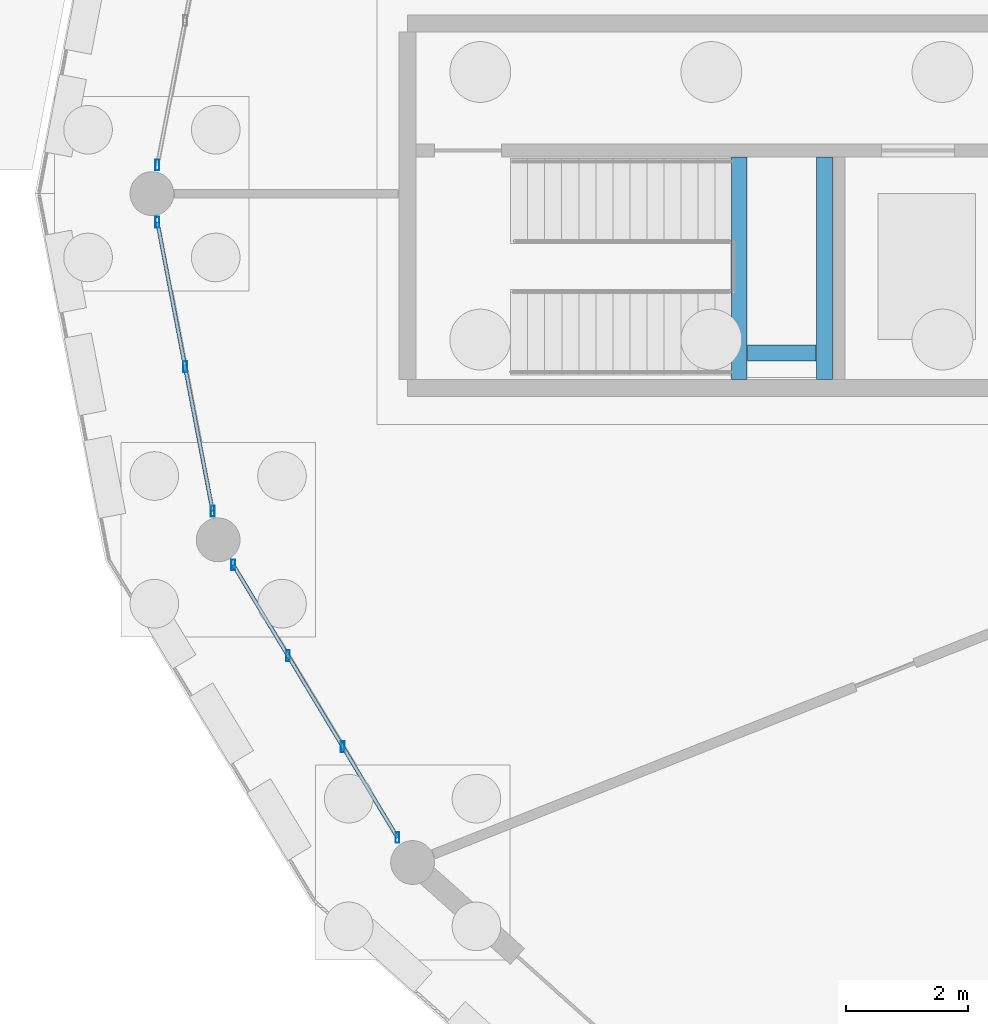
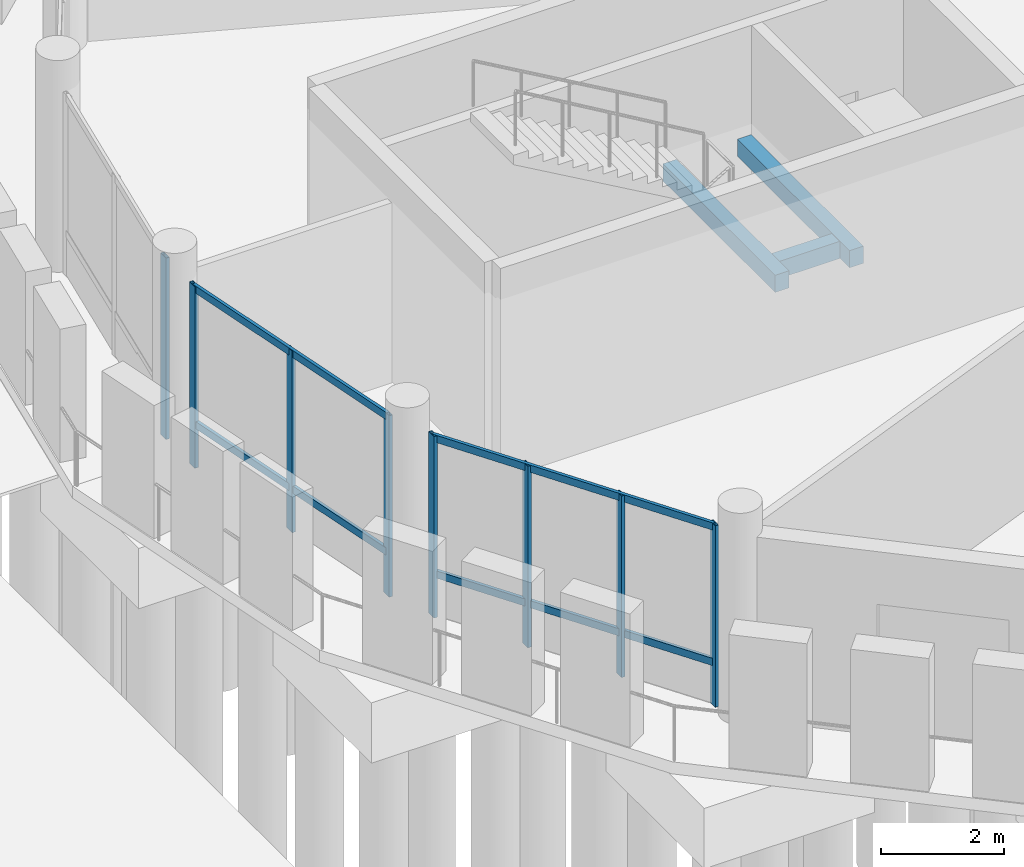
# One storey, part 34 of 98: 12 members, 3 beams, 3 elements without a shape of their own.
"""IFC4 building model written with IfcOpenShell, lengths in metres."""

import ifcopenshell
import ifcopenshell.guid

model = None  # the IFC model being written
_history = None  # IfcOwnerHistory: only IFC2X3 demands one
_inside = {}  # id of a spatial element -> (the spatial element, [elements in it])
_under = {}  # id of a project, library or spatial element -> (it, [spatial elements below it])
_declared = {}  # id of a project -> (the project, [libraries it declares])
_typed = {}  # id of a type object -> (the type object, [elements of that type])
_made_of = {}  # id of a material, layer set ... -> (it, [elements and type objects made of it])


def new_model(schema):
    """Start an empty IFC model of exactly this schema.

    Asked for "IFC4X3", IfcOpenShell would pick the latest addendum, in which some entities
    have other attributes; the version numbers below select the first issue.
    IFC2X3 requires an IfcOwnerHistory on every rooted entity: one is made here for all.
    """
    global model, _history
    if schema == "IFC4X3":
        model = ifcopenshell.file(schema_version=(4, 3, 0, 0))
    else:
        model = ifcopenshell.file(schema=schema)
    _inside.clear()
    _under.clear()
    _declared.clear()
    _typed.clear()
    _made_of.clear()
    _history = None
    if model.schema == "IFC2X3":
        org = make("IfcOrganization", Name="unknown")
        user = make(
            "IfcPersonAndOrganization",
            ThePerson=make("IfcPerson", FamilyName="unknown"),
            TheOrganization=org,
        )
        app = make(
            "IfcApplication",
            ApplicationDeveloper=org,
            Version="unknown",
            ApplicationFullName="unknown",
            ApplicationIdentifier="unknown",
        )
        _history = make(
            "IfcOwnerHistory",
            OwningUser=user,
            OwningApplication=app,
            ChangeAction="ADDED",
            CreationDate=0,
        )
    return model


def make(cls, **values):
    """One entity of the class cls with the attributes given. An attribute that is None is left unset."""
    return model.create_entity(
        cls, **{name: value for name, value in values.items() if value is not None}
    )


def rooted(cls, **values):
    """An entity with a GlobalId (a new one), such as an element, a storey or a relation."""
    return make(cls, GlobalId=ifcopenshell.guid.new(), OwnerHistory=_history, **values)


def si_unit(unit_type, name, prefix=None):
    """IfcSIUnit, for example si_unit("LENGTHUNIT", "METRE", prefix="MILLI")."""
    return make("IfcSIUnit", UnitType=unit_type, Prefix=prefix, Name=name)


def assignment(units):
    """IfcUnitAssignment: the units of a project."""
    return None if units is None else make("IfcUnitAssignment", Units=units)


def point(xyz):
    """IfcCartesianPoint."""
    return None if xyz is None else make("IfcCartesianPoint", Coordinates=xyz)


def direction(xyz):
    """IfcDirection."""
    return None if xyz is None else make("IfcDirection", DirectionRatios=xyz)


def frame(location, z_axis=None, x_axis=None):
    """IfcAxis2Placement3D, a coordinate frame: its origin and axes. An axis left out is left unset."""
    return make(
        "IfcAxis2Placement3D",
        Location=point(location),
        Axis=direction(z_axis),
        RefDirection=direction(x_axis),
    )


def frame_2d(location, x_axis=None):
    """IfcAxis2Placement2D, a coordinate frame in the plane: its origin and x axis."""
    return make(
        "IfcAxis2Placement2D", Location=point(location), RefDirection=direction(x_axis)
    )


def origin():
    """The frame at (0, 0, 0) with its axes left unset."""
    return frame((0.0, 0.0, 0.0))


def origin_2d():
    """The frame at (0, 0) in the plane with its x axis left unset."""
    return frame_2d((0.0, 0.0))


def place(relative_to, where):
    """IfcLocalPlacement: puts the frame where relative to a parent placement (None: the world)."""
    return make(
        "IfcLocalPlacement", PlacementRelTo=relative_to, RelativePlacement=where
    )


def context(
    kind, dimensions, precision=None, world=None, true_north=None, identifier=None
):
    """IfcGeometricRepresentationContext, for example the 3D "Model" context."""
    return make(
        "IfcGeometricRepresentationContext",
        ContextIdentifier=identifier,
        ContextType=kind,
        CoordinateSpaceDimension=dimensions,
        Precision=precision,
        WorldCoordinateSystem=world,
        TrueNorth=true_north,
    )


def subcontext(parent, identifier, kind, view, scale=None):
    """IfcGeometricRepresentationSubContext, for example "Body" below "Model"."""
    return make(
        "IfcGeometricRepresentationSubContext",
        ContextIdentifier=identifier,
        ContextType=kind,
        ParentContext=parent,
        TargetScale=scale,
        TargetView=view,
    )


def project(units=None, contexts=None):
    """IfcProject with its units and contexts."""
    return rooted(
        "IfcProject",
        Name="project",
        RepresentationContexts=contexts,
        UnitsInContext=assignment(units),
    )


def spatial(cls, under=None, at=None, **own):
    """A site, building, storey or space (cls), placed at a placement, below another one or the project."""
    s = rooted(cls, ObjectPlacement=at, **own)
    if under is not None:
        _under.setdefault(under.id(), (under, []))[1].append(s)
    return s


def profile(cls, at=None, kind="AREA", **sizes):
    """A parametric profile (cls). Its sizes go by their IFC names, for example OverallWidth=200.0."""
    return make(cls, ProfileType=kind, Position=at, **sizes)


def rectangle(**sizes):
    """IfcRectangleProfileDef."""
    return profile("IfcRectangleProfileDef", **sizes)


def hollow_rectangle(**sizes):
    """IfcRectangleHollowProfileDef."""
    return profile("IfcRectangleHollowProfileDef", **sizes)


def extrude(swept, where, along, depth):
    """IfcExtrudedAreaSolid: the profile swept, set in the frame where, extruded along a direction by depth."""
    return make(
        "IfcExtrudedAreaSolid",
        SweptArea=swept,
        Position=where,
        ExtrudedDirection=direction(along),
        Depth=depth,
    )


def shape(context_of_items, identifier, shape_type, items):
    """IfcShapeRepresentation: the items that make up one representation, for example the "Body"."""
    return make(
        "IfcShapeRepresentation",
        ContextOfItems=context_of_items,
        RepresentationIdentifier=identifier,
        RepresentationType=shape_type,
        Items=items,
    )


def material(Name=None, Category=None):
    """IfcMaterial."""
    return make("IfcMaterial", Name=Name, Category=Category)


def material_profile(
    of_material, cross_section, Name=None, Category=None, Priority=None
):
    """IfcMaterialProfile: a cross section and its material."""
    return make(
        "IfcMaterialProfile",
        Name=Name,
        Material=of_material,
        Profile=cross_section,
        Priority=Priority,
        Category=Category,
    )


def profile_set(profiles, Name=None, composite=None):
    """IfcMaterialProfileSet."""
    return make(
        "IfcMaterialProfileSet",
        Name=Name,
        MaterialProfiles=profiles,
        CompositeProfile=composite,
    )


def made_of(thing, what):
    """Note that an element or type object is made of a material, layer set ...; save() writes the relation."""
    if what is not None:
        _made_of.setdefault(what.id(), (what, []))[1].append(thing)
    return thing


def type_object(cls, material=None, **own):
    """A type object (cls), such as IfcWallType, which elements share."""
    return made_of(rooted(cls, **own), material)


def element(
    cls,
    number,
    at=None,
    inside=None,
    cuts=None,
    type_object=None,
    material=None,
    context=None,
    identifier="Body",
    shape_type=None,
    held_by="IfcProductDefinitionShape",
    body=None,
    shapes=None,
    **own,
):
    """One element of the class cls, such as IfcWall. Its Tag is "e" and its number.

    at: its placement. inside: the storey or other place that contains it. cuts: it is an
    opening in that element (IfcRelVoidsElement). A single representation is given by context,
    identifier, shape_type and body (its items); several are given by shapes. held_by: the class
    of the entity that holds the representations. save() writes the other relations.
    """
    e = rooted(cls, Tag="e%d" % number, ObjectPlacement=at, **own)
    if body is not None:
        shapes = [shape(context, identifier, shape_type, body)]
    if shapes is not None:
        e.Representation = make(held_by, Representations=shapes)
    if inside is not None:
        _inside.setdefault(inside.id(), (inside, []))[1].append(e)
    if cuts is not None:
        rooted(
            "IfcRelVoidsElement", RelatingBuildingElement=cuts, RelatedOpeningElement=e
        )
    if type_object is not None:
        _typed.setdefault(type_object.id(), (type_object, []))[1].append(e)
    return made_of(e, material)


def aggregate(whole, parts):
    """IfcRelAggregates: a whole, such as a stair, and the parts it consists of."""
    return rooted("IfcRelAggregates", RelatingObject=whole, RelatedObjects=parts)


def save(model, path):
    """Write the relations noted so far, then the file.

    IfcRelAggregates (storeys below a building ...), IfcRelContainedInSpatialStructure (elements
    in a storey), IfcRelDefinesByType, IfcRelAssociatesMaterial and IfcRelDeclares: one each for
    every whole, place, type object, material and project.
    """
    for whole, parts in _under.values():
        aggregate(whole, parts)
    for where, things in _inside.values():
        rooted(
            "IfcRelContainedInSpatialStructure",
            RelatedElements=things,
            RelatingStructure=where,
        )
    for kind, things in _typed.values():
        rooted("IfcRelDefinesByType", RelatedObjects=things, RelatingType=kind)
    for what, things in _made_of.values():
        rooted("IfcRelAssociatesMaterial", RelatedObjects=things, RelatingMaterial=what)
    for by, libraries in _declared.values():
        rooted("IfcRelDeclares", RelatingContext=by, RelatedDefinitions=libraries)
    model.write(path)


model = new_model("IFC4")

# Units and contexts
model_context = context("Model", 3, precision=1e-05, world=origin(), true_north=direction((0.0, 1.0)))
body_context = subcontext(model_context, "Body", "Model", "MODEL_VIEW")
ifc_project = project(units=[si_unit("LENGTHUNIT", "METRE"), si_unit("AREAUNIT", "SQUARE_METRE"), si_unit("VOLUMEUNIT", "CUBIC_METRE"), si_unit("PLANEANGLEUNIT", "RADIAN"), si_unit("MASSUNIT", "GRAM", prefix="KILO")], contexts=[model_context])

# Site, building, storey
site_placement = place(None, origin())
site = spatial("IfcSite", under=ifc_project, at=site_placement, CompositionType="ELEMENT")
building_placement = place(site_placement, origin())
building = spatial("IfcBuilding", under=site, at=building_placement, Name="Zornivar Specialist Clinic", CompositionType="ELEMENT")
storey_placement = place(building_placement, origin())
storey = spatial("IfcBuildingStorey", under=building, at=storey_placement, Name="L00", CompositionType="ELEMENT", Elevation=0.0)

# Beams
ifc_material_1 = material(Name="Concrete C30/37", Category="concrete")
ifc_material_profile_1 = material_profile(ifc_material_1, rectangle(XDim=0.260009765625, YDim=0.340087890625, at=origin_2d()), Name="RC 260x340")
ifc_profile_set_1 = profile_set([ifc_material_profile_1], Name="Concrete C30/37")
beam_type = type_object("IfcBeamType", Name="BM-LAND-260x340", PredefinedType="BEAM", material=ifc_profile_set_1)
for number, where, z_axis, x_axis, name in (
    (1, (71.260009765625, 54.5400390625, 1.8701171875), (0.0, 1.0, 0.0), (-1.0, 0.0, 0.0), "bm:stair:C3:L00:lW"),
    (2, (72.659912109375, 54.5400390625, 1.8701171875), (0.0, 1.0, 0.0), (-1.0, 0.0, 0.0), "bm:stair:C3:L00:lE"),
):
    element("IfcBeam", number, at=place(storey_placement, frame(where, z_axis=z_axis, x_axis=x_axis)), inside=storey, type_object=beam_type, Name=name, PredefinedType="BEAM", context=body_context, shape_type="SweptSolid", body=[
        extrude(rectangle(XDim=0.260009765625, YDim=0.340087890625, at=origin_2d()), origin(), (0.0, 0.0, 1.0), 3.659912109375),
    ])
beam_placement = place(storey_placement, frame((71.39501953125, 54.97998046875, 1.8701171875), z_axis=(1.0, 0.0, 0.0), x_axis=(0.0, 1.0, 0.0)))
element("IfcBeam", 3, at=beam_placement, inside=storey, type_object=beam_type, Name="bm:stair:C3:L00:lS", PredefinedType="BEAM", context=body_context, shape_type="SweptSolid", body=[
    extrude(rectangle(XDim=0.260009765625, YDim=0.340087890625, at=origin_2d()), origin(), (0.0, 0.0, 1.0), 1.1298828125),
])

# Curtain wall, member
ifc_material_2 = material(Name="Aluminium and Low-E Glass Curtain Wall", Category="aluminium")
curtain_wall_type = type_object("IfcCurtainWallType", Name="CW-DRUM-FACET", PredefinedType="NOTDEFINED", material=ifc_material_2)
curtain_wall_1_placement = place(storey_placement, origin())
curtain_wall_1 = element("IfcCurtainWall", 4, at=curtain_wall_1_placement, inside=storey, type_object=curtain_wall_type, Name="cw:V1:L00:c11", PredefinedType="NOTDEFINED")
ifc_material_3 = material(Name="Aluminium AW-6060", Category="aluminium")
ifc_material_profile_2 = material_profile(ifc_material_3, hollow_rectangle(XDim=0.06494140625, YDim=0.175048828125, WallThickness=0.00439453125, at=origin_2d()), Name="ALU 65x175x4.5")
ifc_profile_set_2 = profile_set([ifc_material_profile_2], Name="Aluminium AW-6060")
member_type_1 = type_object("IfcMemberType", Name="CWM-MUL-175", PredefinedType="MULLION", material=ifc_profile_set_2)
member_1_placement = place(storey_placement, frame((61.68994140625, 58.071044921875, 0.0), z_axis=(0.0, 0.0, 1.0), x_axis=(1.0, 0.0, 0.0)))
member_1 = element("IfcMember", 5, at=member_1_placement, type_object=member_type_1, Name="cw:V1:L00:c11:mul:2", PredefinedType="MULLION", context=body_context, shape_type="SweptSolid", body=[
    extrude(hollow_rectangle(XDim=0.06494140625, YDim=0.175048828125, WallThickness=0.00439453125, at=origin_2d()), origin(), (0.0, 0.0, 1.0), 3.610107421875),
])
aggregate(curtain_wall_1, [member_1])

# Curtain wall, members
curtain_wall_2_placement = place(storey_placement, origin())
curtain_wall_2 = element("IfcCurtainWall", 6, at=curtain_wall_2_placement, inside=storey, type_object=curtain_wall_type, Name="cw:V1:L00:c12", PredefinedType="NOTDEFINED")
member_2_placement = place(storey_placement, frame((61.69091796875, 57.12890625, 0.0), z_axis=(0.0, 0.0, 1.0), x_axis=(1.0, 0.0, 0.0)))
member_2 = element("IfcMember", 7, at=member_2_placement, type_object=member_type_1, Name="cw:V1:L00:c12:mul:0", PredefinedType="MULLION", context=body_context, shape_type="SweptSolid", body=[
    extrude(hollow_rectangle(XDim=0.06494140625, YDim=0.175048828125, WallThickness=0.00439453125, at=origin_2d()), origin(), (0.0, 0.0, 1.0), 3.610107421875),
])
member_3_placement = place(storey_placement, frame((62.14501953125, 54.7529296875, 0.0), z_axis=(0.0, 0.0, 1.0), x_axis=(1.0, 0.0, 0.0)))
member_3 = element("IfcMember", 8, at=member_3_placement, type_object=member_type_1, Name="cw:V1:L00:c12:mul:1", PredefinedType="MULLION", context=body_context, shape_type="SweptSolid", body=[
    extrude(hollow_rectangle(XDim=0.06494140625, YDim=0.175048828125, WallThickness=0.00439453125, at=origin_2d()), origin(), (0.0, 0.0, 1.0), 3.610107421875),
])
member_4_placement = place(storey_placement, frame((62.60009765625, 52.376953125, 0.0), z_axis=(0.0, 0.0, 1.0), x_axis=(1.0, 0.0, 0.0)))
member_4 = element("IfcMember", 9, at=member_4_placement, type_object=member_type_1, Name="cw:V1:L00:c12:mul:2", PredefinedType="MULLION", context=body_context, shape_type="SweptSolid", body=[
    extrude(hollow_rectangle(XDim=0.06494140625, YDim=0.175048828125, WallThickness=0.00439453125, at=origin_2d()), origin(), (0.0, 0.0, 1.0), 3.610107421875),
])

curtain_wall_3_placement = place(storey_placement, origin())
curtain_wall_3 = element("IfcCurtainWall", 10, at=curtain_wall_3_placement, inside=storey, type_object=curtain_wall_type, Name="cw:V1:L00:c13", PredefinedType="NOTDEFINED")
member_5_placement = place(storey_placement, frame((62.93798828125, 51.4951171875, 0.0), z_axis=(0.0, 0.0, 1.0), x_axis=(1.0, 0.0, 0.0)))
member_5 = element("IfcMember", 11, at=member_5_placement, type_object=member_type_1, Name="cw:V1:L00:c13:mul:0", PredefinedType="MULLION", context=body_context, shape_type="SweptSolid", body=[
    extrude(hollow_rectangle(XDim=0.06494140625, YDim=0.175048828125, WallThickness=0.00439453125, at=origin_2d()), origin(), (0.0, 0.0, 1.0), 3.610107421875),
])
member_6_placement = place(storey_placement, frame((63.837890625, 50.0, 0.0), z_axis=(0.0, 0.0, 1.0), x_axis=(1.0, 0.0, 0.0)))
member_6 = element("IfcMember", 12, at=member_6_placement, type_object=member_type_1, Name="cw:V1:L00:c13:mul:1", PredefinedType="MULLION", context=body_context, shape_type="SweptSolid", body=[
    extrude(hollow_rectangle(XDim=0.06494140625, YDim=0.175048828125, WallThickness=0.00439453125, at=origin_2d()), origin(), (0.0, 0.0, 1.0), 3.610107421875),
])
member_7_placement = place(storey_placement, frame((64.739013671875, 48.5048828125, 0.0), z_axis=(0.0, 0.0, 1.0), x_axis=(1.0, 0.0, 0.0)))
member_7 = element("IfcMember", 13, at=member_7_placement, type_object=member_type_1, Name="cw:V1:L00:c13:mul:2", PredefinedType="MULLION", context=body_context, shape_type="SweptSolid", body=[
    extrude(hollow_rectangle(XDim=0.06494140625, YDim=0.175048828125, WallThickness=0.00439453125, at=origin_2d()), origin(), (0.0, 0.0, 1.0), 3.610107421875),
])
member_8_placement = place(storey_placement, frame((65.638916015625, 47.010986328125, 0.0), z_axis=(0.0, 0.0, 1.0), x_axis=(1.0, 0.0, 0.0)))
member_8 = element("IfcMember", 14, at=member_8_placement, type_object=member_type_1, Name="cw:V1:L00:c13:mul:3", PredefinedType="MULLION", context=body_context, shape_type="SweptSolid", body=[
    extrude(hollow_rectangle(XDim=0.06494140625, YDim=0.175048828125, WallThickness=0.00439453125, at=origin_2d()), origin(), (0.0, 0.0, 1.0), 3.610107421875),
])

# Member
ifc_material_4 = material(Name="Aluminium AW-6060", Category="aluminium")
ifc_material_profile_3 = material_profile(ifc_material_4, hollow_rectangle(XDim=0.06005859375, YDim=0.14501953125, WallThickness=0.00390625, at=origin_2d()), Name="ALU 60x145x4")
ifc_profile_set_3 = profile_set([ifc_material_profile_3], Name="Aluminium AW-6060")
member_type_2 = type_object("IfcMemberType", Name="CWM-TRN-145", PredefinedType="USERDEFINED", material=ifc_profile_set_3)
member_9_placement = place(storey_placement, frame((61.69091796875, 57.12890625, 0.85009765625), z_axis=(0.187724259088, -0.982221768518, 0.0), x_axis=(0.982221768518, 0.187724259088, 0.0)))
member_9 = element("IfcMember", 15, at=member_9_placement, type_object=member_type_2, Name="cw:V1:L00:c12:trn:0", ObjectType="TRANSOM", PredefinedType="USERDEFINED", context=body_context, shape_type="SweptSolid", body=[
    extrude(hollow_rectangle(XDim=0.06005859375, YDim=0.14501953125, WallThickness=0.00390625, at=origin_2d()), origin(), (0.0, 0.0, 1.0), 4.837890625),
])

member_10_placement = place(storey_placement, frame((61.69091796875, 57.12890625, 3.544921875), z_axis=(0.187724259088, -0.982221768518, 0.0), x_axis=(0.982221768518, 0.187724259088, 0.0)))
member_10 = element("IfcMember", 16, at=member_10_placement, type_object=member_type_2, Name="cw:V1:L00:c12:trn:1", ObjectType="TRANSOM", PredefinedType="USERDEFINED", context=body_context, shape_type="SweptSolid", body=[
    extrude(hollow_rectangle(XDim=0.06005859375, YDim=0.14501953125, WallThickness=0.00390625, at=origin_2d()), origin(), (0.0, 0.0, 1.0), 4.837890625),
])

aggregate(curtain_wall_2, [member_2, member_3, member_4, member_9, member_10])

member_11_placement = place(storey_placement, frame((62.93798828125, 51.4951171875, 0.85009765625), z_axis=(0.515962745671, -0.856611023207, 0.0), x_axis=(0.856611023207, 0.515962745671, 0.0)))
member_11 = element("IfcMember", 17, at=member_11_placement, type_object=member_type_2, Name="cw:V1:L00:c13:trn:0", ObjectType="TRANSOM", PredefinedType="USERDEFINED", context=body_context, shape_type="SweptSolid", body=[
    extrude(hollow_rectangle(XDim=0.06005859375, YDim=0.14501953125, WallThickness=0.00390625, at=origin_2d()), origin(), (0.0, 0.0, 1.0), 5.234619140625),
])

member_12_placement = place(storey_placement, frame((62.93798828125, 51.4951171875, 3.544921875), z_axis=(0.515962745671, -0.856611023207, 0.0), x_axis=(0.856611023207, 0.515962745671, 0.0)))
member_12 = element("IfcMember", 18, at=member_12_placement, type_object=member_type_2, Name="cw:V1:L00:c13:trn:1", ObjectType="TRANSOM", PredefinedType="USERDEFINED", context=body_context, shape_type="SweptSolid", body=[
    extrude(hollow_rectangle(XDim=0.06005859375, YDim=0.14501953125, WallThickness=0.00390625, at=origin_2d()), origin(), (0.0, 0.0, 1.0), 5.234619140625),
])

aggregate(curtain_wall_3, [member_5, member_6, member_7, member_8, member_11, member_12])

save(model, "model.ifc")
